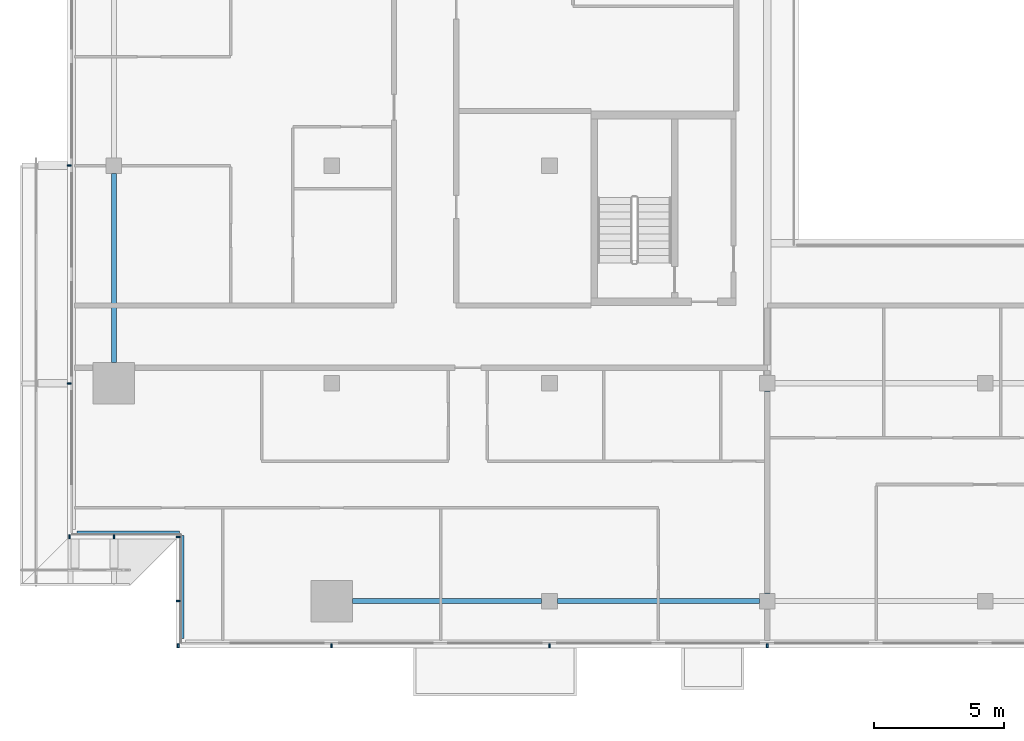
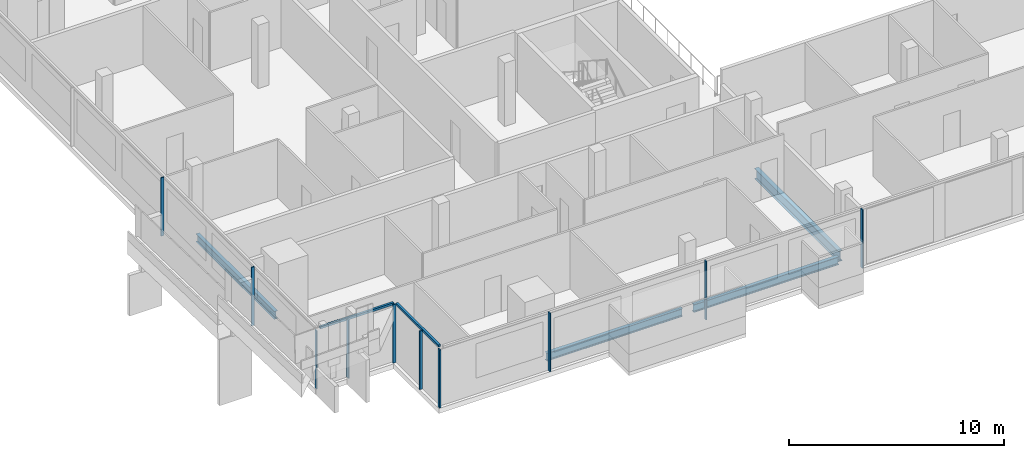
# One storey, part 2 of 30: 12 members, 4 beams, 4 elements without a shape of their own.
"""IFC4 building model written with IfcOpenShell, lengths in metres."""

from ifc_helpers import new_model, si_unit, direction, frame, origin, origin_2d, place, context, subcontext, project, spatial, rectangle, i_section, extrude, material, material_profile, profile_set, type_object, element, aggregate, save


model = new_model("IFC4")

# Units and contexts
model_context = context("Model", 3, precision=1e-05, world=origin(), true_north=direction((0.0, 1.0)))
body_context = subcontext(model_context, "Body", "Model", "MODEL_VIEW")
ifc_project = project(units=[si_unit("LENGTHUNIT", "METRE"), si_unit("AREAUNIT", "SQUARE_METRE"), si_unit("VOLUMEUNIT", "CUBIC_METRE"), si_unit("PLANEANGLEUNIT", "RADIAN"), si_unit("MASSUNIT", "GRAM", prefix="KILO")], contexts=[model_context])

# Site, building, storey
site_placement = place(None, origin())
site = spatial("IfcSite", under=ifc_project, at=site_placement, CompositionType="ELEMENT")
building_placement = place(site_placement, origin())
building = spatial("IfcBuilding", under=site, at=building_placement, Name="Saffron Gate Tower", CompositionType="ELEMENT")
storey_placement = place(building_placement, frame((0.0, 0.0, 223.5)))
storey = spatial("IfcBuildingStorey", under=building, at=storey_placement, Name="L54", CompositionType="ELEMENT", Elevation=223.5)

# Beams
ifc_material_1 = material(Name="Structural steel S355", Category="steel")
ifc_material_profile_1 = material_profile(ifc_material_1, i_section(OverallWidth=0.219970703125, OverallDepth=0.60009765625, WebThickness=0.011962890625, FlangeThickness=0.01904296875, FilletRadius=0.02392578125, at=origin_2d()))
ifc_profile_set_1 = profile_set([ifc_material_profile_1], Name="Structural steel S355")
beam_type_1 = type_object("IfcBeamType", Name="B15 IPE 600", PredefinedType="BEAM", material=ifc_profile_set_1)
beam_1_placement = place(storey_placement, frame((75.0, 32.10009765625, -0.580078125), z_axis=(0.0, 1.0, 0.0), x_axis=(-1.0, 0.0, 0.0)))
element("IfcBeam", 1, at=beam_1_placement, inside=storey, type_object=beam_type_1, Name="B15 FLOOR GIRDER", PredefinedType="BEAM", context=body_context, shape_type="SweptSolid", body=[
    extrude(i_section(OverallWidth=0.219970703125, OverallDepth=0.60009765625, WebThickness=0.011962890625, FlangeThickness=0.01904296875, FilletRadius=0.02392578125, at=origin_2d()), origin(), (0.0, 0.0, 1.0), 7.7998046875),
])
ifc_material_profile_2 = material_profile(ifc_material_1, i_section(OverallWidth=0.18994140625, OverallDepth=0.449951171875, WebThickness=0.009521484375, FlangeThickness=0.0146484375, FilletRadius=0.02099609375, at=origin_2d()))
ifc_profile_set_2 = profile_set([ifc_material_profile_2], Name="Structural steel S355")
beam_type_2 = type_object("IfcBeamType", Name="B7 IPE 450", PredefinedType="SPANDREL", material=ifc_profile_set_2)
for number, where, z_axis, x_axis, name in (
    (2, (49.800048828125, 41.0, -0.5048828125), (0.0, 1.0, 0.0), (-1.0, 0.0, 0.0), "B7 SPANDREL BEAM"),
    (3, (59.0, 31.800048828125, -0.5048828125), (1.0, 0.0, 0.0), (0.0, 1.0, 0.0), "B7 SPANDREL BEAM"),
):
    element("IfcBeam", number, at=place(storey_placement, frame(where, z_axis=z_axis, x_axis=x_axis)), inside=storey, type_object=beam_type_2, Name=name, PredefinedType="SPANDREL", context=body_context, shape_type="SweptSolid", body=[
        extrude(i_section(OverallWidth=0.18994140625, OverallDepth=0.449951171875, WebThickness=0.009521484375, FlangeThickness=0.0146484375, FilletRadius=0.02099609375, at=origin_2d()), origin(), (0.0, 0.0, 1.0), 7.300048828125),
    ])
beam_2_placement = place(storey_placement, frame((66.89990234375, 31.800048828125, -0.5048828125), z_axis=(1.0, 0.0, 0.0), x_axis=(0.0, 1.0, 0.0)))
element("IfcBeam", 4, at=beam_2_placement, inside=storey, type_object=beam_type_2, Name="B7 SPANDREL BEAM", PredefinedType="SPANDREL", context=body_context, shape_type="SweptSolid", body=[
    extrude(i_section(OverallWidth=0.18994140625, OverallDepth=0.449951171875, WebThickness=0.009521484375, FlangeThickness=0.0146484375, FilletRadius=0.02099609375, at=origin_2d()), origin(), (0.0, 0.0, 1.0), 7.800048828125),
])

# Curtain wall, members
ifc_material_2 = material(Name="Aluminium, bronze anodised", Category="aluminium")
curtain_wall_type_1 = type_object("IfcCurtainWallType", Name="CWS1 curtain wall front facade", PredefinedType="NOTDEFINED", material=ifc_material_2)
curtain_wall_1_placement = place(storey_placement, origin())
curtain_wall_1 = element("IfcCurtainWall", 5, at=curtain_wall_1_placement, inside=storey, type_object=curtain_wall_type_1, Name="CWS1 run 1", PredefinedType="NOTDEFINED")
ifc_material_profile_3 = material_profile(ifc_material_2, rectangle(XDim=0.159912109375, YDim=0.06005859375, at=origin_2d()))
ifc_profile_set_3 = profile_set([ifc_material_profile_3], Name="Aluminium, bronze anodised")
member_type_1 = type_object("IfcMemberType", Name="CWS1 mullion 60x160", PredefinedType="MULLION", material=ifc_profile_set_3)
member_1_placement = place(storey_placement, frame((52.280029296875, 30.080078125, 0.0), z_axis=(0.0, 0.0, 1.0), x_axis=(0.0, 1.0, 0.0)))
member_1 = element("IfcMember", 6, at=member_1_placement, type_object=member_type_1, Name="CWS1 mullion 1", PredefinedType="MULLION", context=body_context, shape_type="SweptSolid", body=[
    extrude(rectangle(XDim=0.159912109375, YDim=0.06005859375, at=origin_2d()), origin(), (0.0, 0.0, 1.0), 3.320068359375),
])
member_2_placement = place(storey_placement, frame((58.199951171875, 30.080078125, 0.0), z_axis=(0.0, 0.0, 1.0), x_axis=(0.0, 1.0, 0.0)))
member_2 = element("IfcMember", 7, at=member_2_placement, type_object=member_type_1, Name="CWS1 mullion 2", PredefinedType="MULLION", context=body_context, shape_type="SweptSolid", body=[
    extrude(rectangle(XDim=0.159912109375, YDim=0.06005859375, at=origin_2d()), origin(), (0.0, 0.0, 1.0), 3.320068359375),
])
member_3_placement = place(storey_placement, frame((66.60009765625, 30.080078125, 0.0), z_axis=(0.0, 0.0, 1.0), x_axis=(0.0, 1.0, 0.0)))
member_3 = element("IfcMember", 8, at=member_3_placement, type_object=member_type_1, Name="CWS1 mullion 3", PredefinedType="MULLION", context=body_context, shape_type="SweptSolid", body=[
    extrude(rectangle(XDim=0.159912109375, YDim=0.06005859375, at=origin_2d()), origin(), (0.0, 0.0, 1.0), 3.320068359375),
])
member_4_placement = place(storey_placement, frame((75.0, 30.080078125, 0.0), z_axis=(0.0, 0.0, 1.0), x_axis=(0.0, 1.0, 0.0)))
member_4 = element("IfcMember", 9, at=member_4_placement, type_object=member_type_1, Name="CWS1 mullion 4", PredefinedType="MULLION", context=body_context, shape_type="SweptSolid", body=[
    extrude(rectangle(XDim=0.159912109375, YDim=0.06005859375, at=origin_2d()), origin(), (0.0, 0.0, 1.0), 3.320068359375),
])
aggregate(curtain_wall_1, [member_1, member_2, member_3, member_4])

curtain_wall_type_2 = type_object("IfcCurtainWallType", Name="CWS2 curtain wall side facades", PredefinedType="NOTDEFINED", material=ifc_material_2)
curtain_wall_2_placement = place(storey_placement, origin())
curtain_wall_2 = element("IfcCurtainWall", 10, at=curtain_wall_2_placement, inside=storey, type_object=curtain_wall_type_2, Name="CWS2 run 10", PredefinedType="NOTDEFINED")
ifc_material_profile_4 = material_profile(ifc_material_2, rectangle(XDim=0.159912109375, YDim=0.06005859375, at=origin_2d()))
ifc_profile_set_4 = profile_set([ifc_material_profile_4], Name="Aluminium, bronze anodised")
member_type_2 = type_object("IfcMemberType", Name="CWS2 mullion 60x160", PredefinedType="MULLION", material=ifc_profile_set_4)
member_5_placement = place(storey_placement, frame((48.080078125, 48.60009765625, 0.0), z_axis=(0.0, 0.0, 1.0), x_axis=(1.0, 0.0, 0.0)))
member_5 = element("IfcMember", 11, at=member_5_placement, type_object=member_type_2, Name="CWS2 mullion 4", PredefinedType="MULLION", context=body_context, shape_type="SweptSolid", body=[
    extrude(rectangle(XDim=0.159912109375, YDim=0.06005859375, at=origin_2d()), origin(), (0.0, 0.0, 1.0), 3.320068359375),
])
member_6_placement = place(storey_placement, frame((48.080078125, 40.199951171875, 0.0), z_axis=(0.0, 0.0, 1.0), x_axis=(1.0, 0.0, 0.0)))
member_6 = element("IfcMember", 12, at=member_6_placement, type_object=member_type_2, Name="CWS2 mullion 5", PredefinedType="MULLION", context=body_context, shape_type="SweptSolid", body=[
    extrude(rectangle(XDim=0.159912109375, YDim=0.06005859375, at=origin_2d()), origin(), (0.0, 0.0, 1.0), 3.320068359375),
])
aggregate(curtain_wall_2, [member_5, member_6])

# Curtain wall, member
curtain_wall_type_3 = type_object("IfcCurtainWallType", Name="CWS4 curtain wall corner returns", PredefinedType="NOTDEFINED", material=ifc_material_2)
curtain_wall_3_placement = place(storey_placement, origin())
curtain_wall_3 = element("IfcCurtainWall", 13, at=curtain_wall_3_placement, inside=storey, type_object=curtain_wall_type_3, Name="CWS4 run 11", PredefinedType="NOTDEFINED")
ifc_material_profile_5 = material_profile(ifc_material_2, rectangle(XDim=0.1201171875, YDim=0.1201171875, at=origin_2d()))
ifc_profile_set_5 = profile_set([ifc_material_profile_5], Name="Aluminium, bronze anodised")
member_type_3 = type_object("IfcMemberType", Name="CWS4 head transom", PredefinedType="USERDEFINED", material=ifc_profile_set_5)
member_7_placement = place(storey_placement, frame((48.367919921875, 34.447998046875, 3.260009765625), z_axis=(1.0, 0.0, 0.0), x_axis=(0.0, 1.0, 0.0)))
member_7 = element("IfcMember", 14, at=member_7_placement, type_object=member_type_3, Name="CWS4 head transom", ObjectType="TRANSOM", PredefinedType="USERDEFINED", context=body_context, shape_type="SweptSolid", body=[
    extrude(rectangle(XDim=0.1201171875, YDim=0.1201171875, at=origin_2d()), origin(), (0.0, 0.0, 1.0), 3.9599609375),
])

curtain_wall_4_placement = place(storey_placement, origin())
curtain_wall_4 = element("IfcCurtainWall", 15, at=curtain_wall_4_placement, inside=storey, type_object=curtain_wall_type_3, Name="CWS4 run 12", PredefinedType="NOTDEFINED")
member_8_placement = place(storey_placement, frame((52.447998046875, 34.327880859375, 3.260009765625), z_axis=(0.0, -1.0, 0.0), x_axis=(1.0, 0.0, 0.0)))
member_8 = element("IfcMember", 16, at=member_8_placement, type_object=member_type_3, Name="CWS4 head transom", ObjectType="TRANSOM", PredefinedType="USERDEFINED", context=body_context, shape_type="SweptSolid", body=[
    extrude(rectangle(XDim=0.1201171875, YDim=0.1201171875, at=origin_2d()), origin(), (0.0, 0.0, 1.0), 3.9599609375),
])

# Member
ifc_material_profile_6 = material_profile(ifc_material_2, rectangle(XDim=0.159912109375, YDim=0.06005859375, at=origin_2d()))
ifc_profile_set_6 = profile_set([ifc_material_profile_6], Name="Aluminium, bronze anodised")
member_type_4 = type_object("IfcMemberType", Name="CWS4 mullion 60x160", PredefinedType="MULLION", material=ifc_profile_set_6)
member_9_placement = place(storey_placement, frame((48.080078125, 34.280029296875, 0.0), z_axis=(0.0, 0.0, 1.0), x_axis=(0.0, 1.0, 0.0)))
member_9 = element("IfcMember", 17, at=member_9_placement, type_object=member_type_4, Name="CWS4 mullion 1", PredefinedType="MULLION", context=body_context, shape_type="SweptSolid", body=[
    extrude(rectangle(XDim=0.159912109375, YDim=0.06005859375, at=origin_2d()), origin(), (0.0, 0.0, 1.0), 3.320068359375),
])

member_10_placement = place(storey_placement, frame((49.800048828125, 34.280029296875, 0.0), z_axis=(0.0, 0.0, 1.0), x_axis=(0.0, 1.0, 0.0)))
member_10 = element("IfcMember", 18, at=member_10_placement, type_object=member_type_4, Name="CWS4 mullion 2", PredefinedType="MULLION", context=body_context, shape_type="SweptSolid", body=[
    extrude(rectangle(XDim=0.159912109375, YDim=0.06005859375, at=origin_2d()), origin(), (0.0, 0.0, 1.0), 3.320068359375),
])

aggregate(curtain_wall_3, [member_9, member_10, member_7])

member_11_placement = place(storey_placement, frame((52.280029296875, 34.280029296875, 0.0), z_axis=(0.0, 0.0, 1.0), x_axis=(1.0, 0.0, 0.0)))
member_11 = element("IfcMember", 19, at=member_11_placement, type_object=member_type_4, Name="CWS4 mullion 1", PredefinedType="MULLION", context=body_context, shape_type="SweptSolid", body=[
    extrude(rectangle(XDim=0.159912109375, YDim=0.06005859375, at=origin_2d()), origin(), (0.0, 0.0, 1.0), 3.320068359375),
])

member_12_placement = place(storey_placement, frame((52.280029296875, 31.800048828125, 0.0), z_axis=(0.0, 0.0, 1.0), x_axis=(1.0, 0.0, 0.0)))
member_12 = element("IfcMember", 20, at=member_12_placement, type_object=member_type_4, Name="CWS4 mullion 2", PredefinedType="MULLION", context=body_context, shape_type="SweptSolid", body=[
    extrude(rectangle(XDim=0.159912109375, YDim=0.06005859375, at=origin_2d()), origin(), (0.0, 0.0, 1.0), 3.320068359375),
])

aggregate(curtain_wall_4, [member_11, member_12, member_8])

save(model, "model.ifc")
